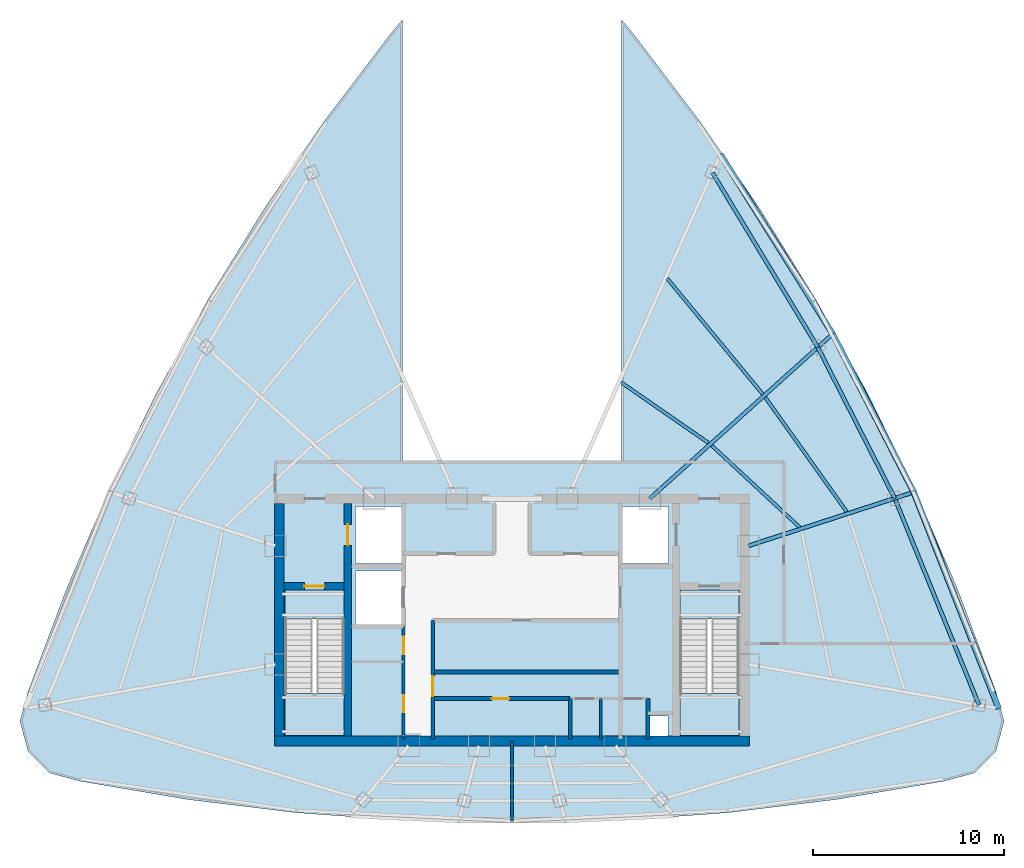
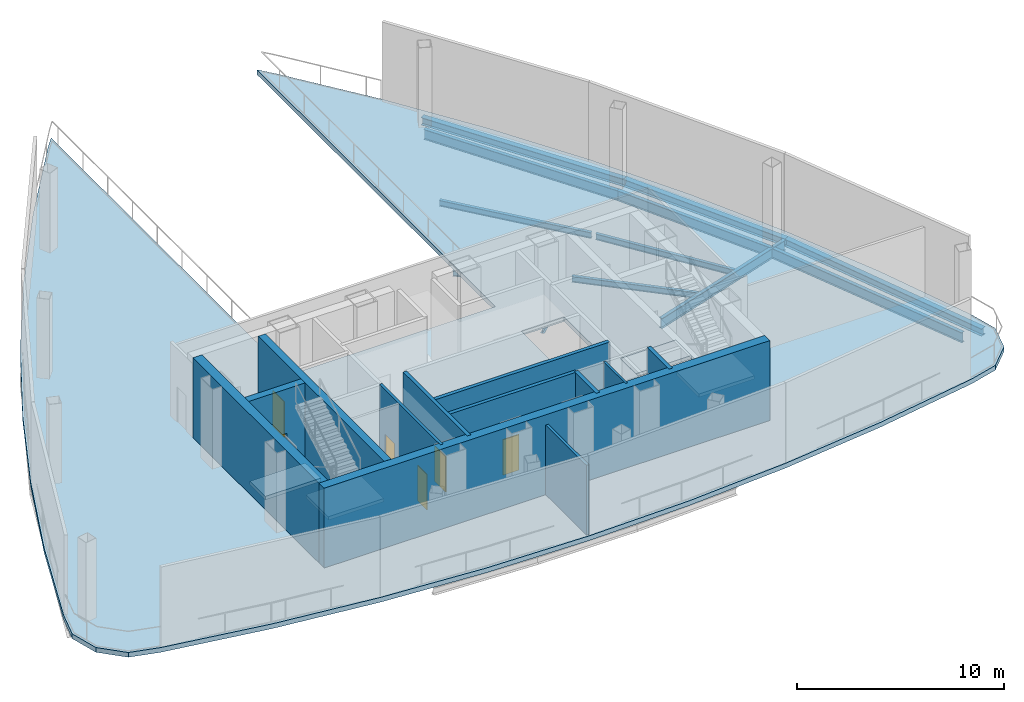
# One storey, part 2 of 6: 12 beams, 12 walls, 6 doors, 5 slabs, 6 openings, 2 elements without a shape of their own.
"""IFC4 building model written with IfcOpenShell, lengths in metres."""

from ifc_helpers import new_model, si_unit, direction, frame, frame_2d, origin, origin_with_axes, origin_2d, place, context, subcontext, project, spatial, polyline, rectangle, i_section, outline, extrude, source, transform, mapped, material, layer, layer_set, material_profile, profile_set, type_object, element, fill, aggregate, save


model = new_model("IFC4")

# Units and contexts
model_context = context("Model", 3, precision=1e-05, world=origin(), true_north=direction((0.0, 1.0)))
body_context = subcontext(model_context, "Body", "Model", "MODEL_VIEW")
ifc_project = project(units=[si_unit("LENGTHUNIT", "METRE"), si_unit("AREAUNIT", "SQUARE_METRE"), si_unit("VOLUMEUNIT", "CUBIC_METRE"), si_unit("PLANEANGLEUNIT", "RADIAN"), si_unit("MASSUNIT", "GRAM", prefix="KILO"), si_unit("THERMODYNAMICTEMPERATUREUNIT", "KELVIN"), si_unit("POWERUNIT", "WATT")], contexts=[model_context])

# Site, building, storey
site_placement = place(None, origin())
site = spatial("IfcSite", under=ifc_project, at=site_placement, CompositionType="ELEMENT")
building_placement = place(site_placement, origin())
building = spatial("IfcBuilding", under=site, at=building_placement, Name="Yunzhuo Pagoda Commons", CompositionType="ELEMENT")
storey_placement = place(building_placement, frame((0.0, 0.0, 376.760009765625)))
storey = spatial("IfcBuildingStorey", under=building, at=storey_placement, Name="L94", CompositionType="ELEMENT", Elevation=376.760009765625)

# Beams
ifc_material_1 = material(Name="Structural steel Q355B", Category="steel")
ifc_material_profile_1 = material_profile(ifc_material_1, i_section(OverallWidth=0.199951171875, OverallDepth=0.60009765625, WebThickness=0.010986328125, FlangeThickness=0.01708984375, at=origin_2d()), Name="Structural steel Q355B")
ifc_profile_set_1 = profile_set([ifc_material_profile_1], Name="Structural steel Q355B")
beam_type_1 = type_object("IfcBeamType", Name="B-RG3 Beam HN 600x200x11x17", PredefinedType="BEAM", material=ifc_profile_set_1)
shared_shape_1 = source(origin(), body_context, "Body", "SweptSolid", [
    extrude(i_section(OverallWidth=0.199951171875, OverallDepth=0.60009765625, WebThickness=0.010986328125, FlangeThickness=0.01708984375, at=origin_2d()), origin(), (0.0, 0.0, 1.0), 11.696533203125),
])
beam_1_placement = place(storey_placement, frame((72.47021484375, 29.38525390625, -0.580078125), z_axis=(-0.377611800863, 0.925963999219, 0.0), x_axis=(-0.925963999219, -0.377611800863, 0.0)))
element("IfcBeam", 1, at=beam_1_placement, inside=storey, type_object=beam_type_1, Name="L94 column-ring beam 5", PredefinedType="BEAM", context=body_context, shape_type="MappedRepresentation", body=[
    mapped(shared_shape_1, transform((0.0, 0.0, 0.0), scale=1.0)),
])
shared_shape_2 = source(origin(), body_context, "Body", "SweptSolid", [
    extrude(i_section(OverallWidth=0.199951171875, OverallDepth=0.60009765625, WebThickness=0.010986328125, FlangeThickness=0.01708984375, at=origin_2d()), origin(), (0.0, 0.0, 1.0), 8.87939453125),
])
beam_2_placement = place(storey_placement, frame((68.053466796875, 40.2158203125, -0.580078125), z_axis=(-0.453723535687, 0.891142498798, 0.0), x_axis=(-0.891142498798, -0.453723535687, 0.0)))
element("IfcBeam", 2, at=beam_2_placement, inside=storey, type_object=beam_type_1, Name="L94 column-ring beam 6", PredefinedType="BEAM", context=body_context, shape_type="MappedRepresentation", body=[
    mapped(shared_shape_2, transform((0.0, 0.0, 0.0), scale=1.0)),
])
shared_shape_3 = source(origin(), body_context, "Body", "SweptSolid", [
    extrude(i_section(OverallWidth=0.199951171875, OverallDepth=0.60009765625, WebThickness=0.010986328125, FlangeThickness=0.01708984375, at=origin_2d()), origin(), (0.0, 0.0, 1.0), 10.691162109375),
])
beam_3_placement = place(storey_placement, frame((64.024658203125, 48.128662109375, -0.580078125), z_axis=(-0.516864678433, 0.856067114301, 0.0), x_axis=(-0.856067114301, -0.516864678433, 0.0)))
element("IfcBeam", 3, at=beam_3_placement, inside=storey, type_object=beam_type_1, Name="L94 column-ring beam 7", PredefinedType="BEAM", context=body_context, shape_type="MappedRepresentation", body=[
    mapped(shared_shape_3, transform((0.0, 0.0, 0.0), scale=1.0)),
])
ifc_material_profile_2 = material_profile(ifc_material_1, i_section(OverallWidth=0.175048828125, OverallDepth=0.35009765625, WebThickness=0.007080078125, FlangeThickness=0.010986328125, at=origin_2d()), Name="Structural steel Q355B")
ifc_profile_set_2 = profile_set([ifc_material_profile_2], Name="Structural steel Q355B")
beam_type_2 = type_object("IfcBeamType", Name="B-JS2 Joist HN 350x175x7x11", PredefinedType="JOIST", material=ifc_profile_set_2)
shared_shape_4 = source(origin(), body_context, "Body", "SweptSolid", [
    extrude(i_section(OverallWidth=0.175048828125, OverallDepth=0.35009765625, WebThickness=0.007080078125, FlangeThickness=0.010986328125, at=origin_2d()), origin(), (0.0, 0.0, 1.0), 6.277099609375),
])
beam_4_placement = place(storey_placement, frame((63.071044921875, 38.702392578125, -0.455078125), z_axis=(-0.73244154109, 0.68082992655, 0.0), x_axis=(-0.68082992655, -0.73244154109, 0.0)))
element("IfcBeam", 4, at=beam_4_placement, inside=storey, type_object=beam_type_2, Name="L94 composite ring joist 1.6", PredefinedType="JOIST", context=body_context, shape_type="MappedRepresentation", body=[
    mapped(shared_shape_4, transform((0.0, 0.0, 0.0), scale=1.0)),
])
shared_shape_5 = source(origin(), body_context, "Body", "SweptSolid", [
    extrude(i_section(OverallWidth=0.175048828125, OverallDepth=0.35009765625, WebThickness=0.007080078125, FlangeThickness=0.010986328125, at=origin_2d()), origin(), (0.0, 0.0, 1.0), 7.347900390625),
])
beam_5_placement = place(storey_placement, frame((65.53759765625, 39.513671875, -0.455078125), z_axis=(-0.580294898948, 0.814406428177, 0.0), x_axis=(-0.814406428177, -0.580294898948, 0.0)))
element("IfcBeam", 5, at=beam_5_placement, inside=storey, type_object=beam_type_2, Name="L94 composite ring joist 2.6", PredefinedType="JOIST", context=body_context, shape_type="MappedRepresentation", body=[
    mapped(shared_shape_5, transform((0.0, 0.0, 0.0), scale=1.0)),
])
shared_shape_6 = source(origin(), body_context, "Body", "SweptSolid", [
    extrude(i_section(OverallWidth=0.175048828125, OverallDepth=0.35009765625, WebThickness=0.007080078125, FlangeThickness=0.010986328125, at=origin_2d()), origin(), (0.0, 0.0, 1.0), 5.556640625),
])
beam_6_placement = place(storey_placement, frame((58.29443359375, 43.119873046875, -0.455078125), z_axis=(-0.822084621883, 0.569365326011, 0.0), x_axis=(-0.569365326011, -0.822084621883, 0.0)))
element("IfcBeam", 6, at=beam_6_placement, inside=storey, type_object=beam_type_2, Name="L94 composite ring joist 1.7", PredefinedType="JOIST", context=body_context, shape_type="MappedRepresentation", body=[
    mapped(shared_shape_6, transform((0.0, 0.0, 0.0), scale=1.0)),
])
shared_shape_7 = source(origin(), body_context, "Body", "SweptSolid", [
    extrude(i_section(OverallWidth=0.175048828125, OverallDepth=0.35009765625, WebThickness=0.007080078125, FlangeThickness=0.010986328125, at=origin_2d()), origin(), (0.0, 0.0, 1.0), 7.842529296875),
])
beam_7_placement = place(storey_placement, frame((61.133544921875, 45.68017578125, -0.455078125), z_axis=(-0.636899145749, 0.770947130577, 0.0), x_axis=(-0.770947130577, -0.636899145749, 0.0)))
element("IfcBeam", 7, at=beam_7_placement, inside=storey, type_object=beam_type_2, Name="L94 composite ring joist 2.7", PredefinedType="JOIST", context=body_context, shape_type="MappedRepresentation", body=[
    mapped(shared_shape_7, transform((0.0, 0.0, 0.0), scale=1.0)),
])
shared_shape_8 = source(origin(), body_context, "Body", "SweptSolid", [
    extrude(i_section(OverallWidth=0.199951171875, OverallDepth=0.60009765625, WebThickness=0.010986328125, FlangeThickness=0.01708984375, at=origin_2d()), origin(), (0.0, 0.0, 1.0), 8.942626953125),
])
beam_8_placement = place(storey_placement, frame((68.90478515625, 40.492431640625, -0.580078125), z_axis=(-0.951055734301, -0.309019401095, 0.0), x_axis=(0.309019401095, -0.951055734301, 0.0)))
element("IfcBeam", 8, at=beam_8_placement, inside=storey, type_object=beam_type_1, Name="L94 radial floor girder F2C2", PredefinedType="BEAM", context=body_context, shape_type="MappedRepresentation", body=[
    mapped(shared_shape_8, transform((0.0, 0.0, 0.0), scale=1.0)),
])
shared_shape_9 = source(origin(), body_context, "Body", "SweptSolid", [
    extrude(i_section(OverallWidth=0.199951171875, OverallDepth=0.60009765625, WebThickness=0.010986328125, FlangeThickness=0.01708984375, at=origin_2d()), origin(), (0.0, 0.0, 1.0), 12.744140625),
])
beam_9_placement = place(storey_placement, frame((64.689697265625, 48.7275390625, -0.580078125), z_axis=(-0.743139811769, -0.669136174605, 0.0), x_axis=(0.669136174605, -0.743139811769, 0.0)))
element("IfcBeam", 9, at=beam_9_placement, inside=storey, type_object=beam_type_1, Name="L94 radial floor girder F2C3", PredefinedType="BEAM", context=body_context, shape_type="MappedRepresentation", body=[
    mapped(shared_shape_9, transform((0.0, 0.0, 0.0), scale=1.0)),
])
ifc_material_profile_3 = material_profile(ifc_material_1, i_section(OverallWidth=0.300048828125, OverallDepth=0.43994140625, WebThickness=0.010986328125, FlangeThickness=0.01806640625, at=origin_2d()), Name="Structural steel Q355B")
ifc_profile_set_3 = profile_set([ifc_material_profile_3], Name="Structural steel Q355B")
beam_type_3 = type_object("IfcBeamType", Name="B-SP2 Beam HM 440x300x11x18", PredefinedType="BEAM", material=ifc_profile_set_3)
shared_shape_10 = source(origin(), body_context, "Body", "SweptSolid", [
    extrude(i_section(OverallWidth=0.300048828125, OverallDepth=0.43994140625, WebThickness=0.010986328125, FlangeThickness=0.01806640625, at=origin_2d()), origin(), (0.0, 0.0, 1.0), 12.18017578125),
])
beam_10_placement = place(storey_placement, frame((73.504150390625, 29.202880859375, -0.5), z_axis=(-0.365522138301, 0.930802646328, 0.0), x_axis=(-0.930802646328, -0.365522138301, 0.0)))
element("IfcBeam", 10, at=beam_10_placement, inside=storey, type_object=beam_type_3, Name="L94 facade edge spandrel beam F2.1", PredefinedType="BEAM", context=body_context, shape_type="MappedRepresentation", body=[
    mapped(shared_shape_10, transform((0.0, 0.0, 0.0), scale=1.0)),
])
shared_shape_11 = source(origin(), body_context, "Body", "SweptSolid", [
    extrude(i_section(OverallWidth=0.300048828125, OverallDepth=0.43994140625, WebThickness=0.010986328125, FlangeThickness=0.01806640625, at=origin_2d()), origin(), (0.0, 0.0, 1.0), 9.3154296875),
])
beam_11_placement = place(storey_placement, frame((69.052001953125, 40.540283203125, -0.5), z_axis=(-0.455914353887, 0.89002365245, 0.0), x_axis=(-0.89002365245, -0.455914353887, 0.0)))
element("IfcBeam", 11, at=beam_11_placement, inside=storey, type_object=beam_type_3, Name="L94 facade edge spandrel beam F2.2", PredefinedType="BEAM", context=body_context, shape_type="MappedRepresentation", body=[
    mapped(shared_shape_11, transform((0.0, 0.0, 0.0), scale=1.0)),
])
shared_shape_12 = source(origin(), body_context, "Body", "SweptSolid", [
    extrude(i_section(OverallWidth=0.300048828125, OverallDepth=0.43994140625, WebThickness=0.010986328125, FlangeThickness=0.01806640625, at=origin_2d()), origin(), (0.0, 0.0, 1.0), 11.094482421875),
])
beam_12_placement = place(storey_placement, frame((64.804931640625, 48.831298828125, -0.5), z_axis=(-0.529915860294, 0.848050223164, 0.0), x_axis=(-0.848050223164, -0.529915860294, 0.0)))
element("IfcBeam", 12, at=beam_12_placement, inside=storey, type_object=beam_type_3, Name="L94 facade edge spandrel beam F2.3", PredefinedType="BEAM", context=body_context, shape_type="MappedRepresentation", body=[
    mapped(shared_shape_12, transform((0.0, 0.0, 0.0), scale=1.0)),
])

# Stair, slabs
ifc_material_2 = material(Name="Concrete C40", Category="concrete")
stair_type_1 = type_object("IfcStairType", Name="ST-C1 Core Smokeproof Stair ST1", PredefinedType="HALF_TURN_STAIR", material=ifc_material_2)
stair_1_placement = place(storey_placement, origin())
stair_1 = element("IfcStair", 13, at=stair_1_placement, inside=storey, type_object=stair_type_1, Name="L94 Core smokeproof stair ST1", PredefinedType="HALF_TURN_STAIR")
ifc_layer_1 = layer(ifc_material_2, 0.199951171875)
ifc_layer_set_1 = layer_set([ifc_layer_1], Name="Concrete C40")
slab_type_1 = type_object("IfcSlabType", Name="SL-LND1 Stair Landing Slab 200", PredefinedType="LANDING", material=ifc_layer_set_1)
slab_1_placement = place(storey_placement, frame((0.0, 0.0, 2.300048828125)))
slab_1 = element("IfcSlab", 14, at=slab_1_placement, type_object=slab_type_1, Name="ST1 landing 1", PredefinedType="LANDING", context=body_context, shape_type="SweptSolid", body=[
    extrude(outline(polyline([(36.10009765625, 29.97998046875), (36.10009765625, 27.800048828125), (39.199951171875, 27.800048828125), (39.199951171875, 29.97998046875), (36.10009765625, 29.97998046875)])), origin(), (0.0, 0.0, 1.0), 0.199951171875),
])
slab_2_placement = place(storey_placement, frame((0.0, 0.0, -0.199951171875)))
slab_2 = element("IfcSlab", 15, at=slab_2_placement, type_object=slab_type_1, Name="ST1 floor landing L94", PredefinedType="LANDING", context=body_context, shape_type="SweptSolid", body=[
    extrude(outline(polyline([(36.10009765625, 35.39990234375), (36.10009765625, 33.89990234375), (39.199951171875, 33.89990234375), (39.199951171875, 35.39990234375), (36.10009765625, 35.39990234375)])), origin(), (0.0, 0.0, 1.0), 0.199951171875),
])
aggregate(stair_1, [slab_1, slab_2])

stair_type_2 = type_object("IfcStairType", Name="ST-C2 Core Smokeproof Stair ST2", PredefinedType="HALF_TURN_STAIR", material=ifc_material_2)
stair_2_placement = place(storey_placement, origin())
stair_2 = element("IfcStair", 16, at=stair_2_placement, inside=storey, type_object=stair_type_2, Name="L94 Core smokeproof stair ST2", PredefinedType="HALF_TURN_STAIR")
ifc_layer_2 = layer(ifc_material_2, 0.201904296875)
ifc_layer_set_2 = layer_set([ifc_layer_2], Name="Concrete C40")
slab_type_2 = type_object("IfcSlabType", Name="SL-LND2 Stair Landing Slab 202", PredefinedType="LANDING", material=ifc_layer_set_2)
slab_3_placement = place(storey_placement, frame((0.0, 0.0, 2.300048828125)))
slab_3 = element("IfcSlab", 17, at=slab_3_placement, type_object=slab_type_2, Name="ST2 landing 1", PredefinedType="LANDING", context=body_context, shape_type="SweptSolid", body=[
    extrude(outline(polyline([(56.800048828125, 29.97998046875), (56.800048828125, 27.800048828125), (59.89990234375, 27.800048828125), (59.89990234375, 29.97998046875), (56.800048828125, 29.97998046875)])), origin(), (0.0, 0.0, 1.0), 0.199951171875),
])
slab_4_placement = place(storey_placement, frame((0.0, 0.0, -0.199951171875)))
slab_4 = element("IfcSlab", 18, at=slab_4_placement, type_object=slab_type_2, Name="ST2 floor landing L94", PredefinedType="LANDING", context=body_context, shape_type="SweptSolid", body=[
    extrude(outline(polyline([(56.800048828125, 35.39990234375), (56.800048828125, 33.89990234375), (59.89990234375, 33.89990234375), (59.89990234375, 35.39990234375), (56.800048828125, 35.39990234375)])), origin(), (0.0, 0.0, 1.0), 0.199951171875),
])
aggregate(stair_2, [slab_3, slab_4])

# Slab
ifc_layer_3 = layer(ifc_material_2, 0.280029296875)
ifc_layer_set_3 = layer_set([ifc_layer_3], Name="Concrete C40")
slab_type_3 = type_object("IfcSlabType", Name="SL-POD Podium & Refuge Floor Slab 280", PredefinedType="FLOOR", material=ifc_layer_set_3)
slab_5_placement = place(storey_placement, frame((0.0, 0.0, -0.280029296875)))
element("IfcSlab", 19, at=slab_5_placement, inside=storey, type_object=slab_type_3, Name="L94 wind portal wing floor slab 1", PredefinedType="FLOOR", context=body_context, shape_type="SweptSolid", body=[
    extrude(outline(polyline([(57.7939453125, 60.038818359375), (60.981689453125, 55.397705078125), (63.931396484375, 50.61767578125), (66.643310546875, 45.69873046875), (69.1171875, 40.64111328125), (71.35302734375, 35.4443359375), (73.35107421875, 30.10888671875), (73.7783203125, 28.541259765625), (73.3623046875, 26.970458984375), (72.21533203125, 25.819580078125), (70.646240234375, 25.39794921875), (64.984619140625, 24.43359375), (59.322998046875, 23.7451171875), (53.66162109375, 23.331787109375), (48.0, 23.194091796875), (42.33837890625, 23.331787109375), (36.677001953125, 23.7451171875), (31.015380859375, 24.43359375), (25.353759765625, 25.39794921875), (23.78466796875, 25.819580078125), (22.6376953125, 26.970458984375), (22.2216796875, 28.541259765625), (22.64892578125, 30.10888671875), (24.64697265625, 35.4443359375), (26.8828125, 40.64111328125), (29.356689453125, 45.69873046875), (32.068603515625, 50.61767578125), (35.018310546875, 55.397705078125), (38.2060546875, 60.038818359375), (41.631591796875, 64.541015625), (42.25, 65.27734375), (42.25, 42.199951171875), (53.75, 42.199951171875), (53.75, 65.27734375), (54.368408203125, 64.541015625), (57.7939453125, 60.038818359375)]), holes=[polyline([(55.179931640625, 28.800048828125), (55.179931640625, 27.699951171875), (56.179931640625, 27.699951171875), (56.179931640625, 28.800048828125), (55.179931640625, 28.800048828125)]), polyline([(39.199951171875, 27.800048828125), (39.199951171875, 35.39990234375), (36.10009765625, 35.39990234375), (36.10009765625, 27.800048828125), (39.199951171875, 27.800048828125)]), polyline([(59.89990234375, 27.800048828125), (59.89990234375, 35.39990234375), (56.800048828125, 35.39990234375), (56.800048828125, 27.800048828125), (59.89990234375, 27.800048828125)]), polyline([(39.800048828125, 36.39990234375), (39.800048828125, 33.60009765625), (42.199951171875, 33.60009765625), (42.199951171875, 36.39990234375), (39.800048828125, 36.39990234375)]), polyline([(42.199951171875, 39.800048828125), (39.800048828125, 39.800048828125), (39.800048828125, 36.800048828125), (42.199951171875, 36.800048828125), (42.199951171875, 39.800048828125)]), polyline([(56.199951171875, 39.800048828125), (53.800048828125, 39.800048828125), (53.800048828125, 36.800048828125), (56.199951171875, 36.800048828125), (56.199951171875, 39.800048828125)])]), origin(), (0.0, 0.0, 1.0), 0.280029296875),
])

# Walls
ifc_material_3 = material(Name="Concrete C50", Category="concrete")
ifc_layer_4 = layer(ifc_material_3, 0.5)
ifc_layer_set_4 = layer_set([ifc_layer_4], Name="Concrete C50")
wall_type_1 = type_object("IfcWallType", Name="W-C03 Upper Core Shear Wall 500", PredefinedType="SHEAR", material=ifc_layer_set_4)
wall_1_placement = place(storey_placement, frame((35.550048828125, 27.5, 0.0), z_axis=(0.0, 0.0, 1.0), x_axis=(1.0, 0.0, 0.0)))
element("IfcWall", 20, at=wall_1_placement, inside=storey, type_object=wall_type_1, Name="L94 core shear wall S", PredefinedType="SHEAR", context=body_context, shape_type="SweptSolid", body=[
    extrude(rectangle(XDim=24.89990234375, YDim=0.5, at=frame_2d((12.449951171875, 0.0))), origin(), (0.0, 0.0, 1.0), 4.719970703125),
])
wall_2_placement = place(storey_placement, frame((35.800048828125, 27.75, 0.0), z_axis=(0.0, 0.0, 1.0), x_axis=(0.0, 1.0, 0.0)))
element("IfcWall", 21, at=wall_2_placement, inside=storey, type_object=wall_type_1, Name="L94 core shear wall W", PredefinedType="SHEAR", context=body_context, shape_type="SweptSolid", body=[
    extrude(rectangle(XDim=12.199951171875, YDim=0.5, at=frame_2d((6.10009765625, 0.0))), origin(), (0.0, 0.0, 1.0), 4.719970703125),
])

# Wall, openings, doors
ifc_material_4 = material(Name="Gypsum plasterboard on acoustic stud")
ifc_layer_5 = layer(ifc_material_4, 0.14990234375)
ifc_layer_set_5 = layer_set([ifc_layer_5], Name="Gypsum plasterboard on acoustic stud")
wall_type_2 = type_object("IfcWallType", Name="W-COR3 High-Zone Rated Corridor Wall 150", PredefinedType="PARTITIONING", material=ifc_layer_set_5)
wall_3_placement = place(storey_placement, frame((42.320068359375, 27.60009765625, 0.0), z_axis=(0.0, 0.0, 1.0), x_axis=(0.0, 1.0, 0.0)))
wall_3 = element("IfcWall", 22, at=wall_3_placement, inside=storey, type_object=wall_type_2, Name="L94 interior wall IW-L94-CSWE", PredefinedType="PARTITIONING", context=body_context, shape_type="SweptSolid", body=[
    extrude(rectangle(XDim=5.89990234375, YDim=0.14990234375, at=frame_2d((2.949951171875, 0.0))), origin(), (0.0, 0.0, 1.0), 4.719970703125),
])
opening_1_placement = place(wall_3_placement, frame((1.39990234375, 0.0, 0.0)))
opening_1 = element("IfcOpeningElement", 23, at=opening_1_placement, cuts=wall_3, Name="Opening D-03", PredefinedType="OPENING", context=body_context, shape_type="SweptSolid", body=[
    extrude(rectangle(XDim=0.89990234375, YDim=2.10009765625, at=frame_2d((0.449951171875, 1.050048828125))), frame((0.0, 0.0849609375, 0.0), z_axis=(0.0, -1.0, 0.0), x_axis=(1.0, 0.0, 0.0)), (0.0, 0.0, 1.0), 0.169921875),
])
opening_2_placement = place(wall_3_placement, frame((4.449951171875, 0.0, 0.0)))
opening_2 = element("IfcOpeningElement", 24, at=opening_2_placement, cuts=wall_3, Name="Opening D-03", PredefinedType="OPENING", context=body_context, shape_type="SweptSolid", body=[
    extrude(rectangle(XDim=0.89990234375, YDim=2.10009765625, at=frame_2d((0.449951171875, 1.050048828125))), frame((0.0, 0.0849609375, 0.0), z_axis=(0.0, -1.0, 0.0), x_axis=(1.0, 0.0, 0.0)), (0.0, 0.0, 1.0), 0.169921875),
])
ifc_material_5 = material(Name="Galvanized fire-resisting metal leaf")
door_type_1 = type_object("IfcDoorType", Name="D-03 Core Service Fire Door 900x2100", OperationType="NOTDEFINED", PredefinedType="DOOR", material=ifc_material_5)
shared_shape_13 = source(origin(), body_context, "Body", "SweptSolid", [
    extrude(rectangle(XDim=0.89990234375, YDim=2.10009765625, at=frame_2d((0.449951171875, 1.050048828125))), frame((0.0, 0.02490234375, 0.0), z_axis=(0.0, -1.0, 0.0), x_axis=(1.0, 0.0, 0.0)), (0.0, 0.0, 1.0), 0.050048828125),
])
door_1_placement = place(opening_1_placement, origin_with_axes())
door_1 = element("IfcDoor", 25, at=door_1_placement, inside=storey, type_object=door_type_1, Name="L94 service store door", OperationType="SINGLE_SWING_LEFT", OverallHeight=2.10009765625, OverallWidth=0.89990234375, PredefinedType="DOOR", context=body_context, shape_type="MappedRepresentation", body=[
    mapped(shared_shape_13, transform((0.0, 0.0, 0.0), scale=1.0)),
])
fill(opening_1, door_1)
door_2_placement = place(opening_2_placement, origin_with_axes())
door_2 = element("IfcDoor", 26, at=door_2_placement, inside=storey, type_object=door_type_1, Name="L94 switch closet door", OperationType="SINGLE_SWING_RIGHT", OverallHeight=2.10009765625, OverallWidth=0.89990234375, PredefinedType="DOOR", context=body_context, shape_type="MappedRepresentation", body=[
    mapped(shared_shape_13, transform((0.0, 0.0, 0.0), scale=1.0)),
])
fill(opening_2, door_2)

# Walls
wall_4_placement = place(storey_placement, frame((48.0, 23.314208984375, 0.0), z_axis=(0.0, 0.0, 1.0), x_axis=(0.0, 1.0, 0.0)))
element("IfcWall", 27, at=wall_4_placement, inside=storey, type_object=wall_type_2, Name="L94 interior wall IW-L94-WPSDIV", PredefinedType="PARTITIONING", context=body_context, shape_type="SweptSolid", body=[
    extrude(rectangle(XDim=4.185791015625, YDim=0.14990234375, at=frame_2d((2.0927734375, 0.0))), origin(), (0.0, 0.0, 1.0), 4.119873046875),
])
ifc_layer_6 = layer(ifc_material_4, 0.1201171875)
ifc_layer_set_6 = layer_set([ifc_layer_6], Name="Gypsum plasterboard on acoustic stud")
wall_type_3 = type_object("IfcWallType", Name="W-PRT1 Suite & Bathroom Partition 120", PredefinedType="PARTITIONING", material=ifc_layer_set_6)
wall_5_placement = place(storey_placement, frame((52.64990234375, 27.60009765625, 0.0), z_axis=(0.0, 0.0, 1.0), x_axis=(0.0, 1.0, 0.0)))
element("IfcWall", 28, at=wall_5_placement, inside=storey, type_object=wall_type_3, Name="L94 interior wall IW-L94-CD2", PredefinedType="PARTITIONING", context=body_context, shape_type="SweptSolid", body=[
    extrude(rectangle(XDim=2.119873046875, YDim=0.1201171875, at=frame_2d((1.06005859375, 0.0))), origin(), (0.0, 0.0, 1.0), 4.719970703125),
])

# Wall, opening, door
ifc_material_6 = material(Name="Concrete C60", Category="concrete")
ifc_layer_7 = layer(ifc_material_6, 0.39990234375)
ifc_layer_set_7 = layer_set([ifc_layer_7], Name="Concrete C60")
wall_type_4 = type_object("IfcWallType", Name="W-S01 Internal Core Shear Web 400", PredefinedType="SHEAR", material=ifc_layer_set_7)
wall_6_placement = place(storey_placement, frame((39.39990234375, 27.75, 0.0), z_axis=(0.0, 0.0, 1.0), x_axis=(0.0, 1.0, 0.0)))
wall_6 = element("IfcWall", 29, at=wall_6_placement, inside=storey, type_object=wall_type_4, Name="L94 core shear wall WEBW", PredefinedType="SHEAR", context=body_context, shape_type="SweptSolid", body=[
    extrude(rectangle(XDim=12.199951171875, YDim=0.39990234375, at=frame_2d((6.10009765625, 0.0))), origin(), (0.0, 0.0, 1.0), 4.719970703125),
])
opening_3_placement = place(wall_6_placement, frame((10.0, 0.0, 0.0)))
opening_3 = element("IfcOpeningElement", 30, at=opening_3_placement, cuts=wall_6, Name="Opening LD-01", PredefinedType="OPENING", context=body_context, shape_type="SweptSolid", body=[
    extrude(rectangle(XDim=1.10009765625, YDim=2.10009765625, at=frame_2d((0.550048828125, 1.050048828125))), frame((0.0, 0.2099609375, 0.0), z_axis=(0.0, -1.0, 0.0), x_axis=(1.0, 0.0, 0.0)), (0.0, 0.0, 1.0), 0.419921875),
])
door_type_2 = type_object("IfcDoorType", Name="LD-01 Firefighting Lift Landing Door 1100x2100", OperationType="DOUBLE_DOOR_SLIDING", PredefinedType="DOOR", material=ifc_material_5)
shared_shape_14 = source(origin(), body_context, "Body", "SweptSolid", [
    extrude(rectangle(XDim=1.10009765625, YDim=2.10009765625, at=frame_2d((0.550048828125, 1.050048828125))), frame((0.0, 0.02490234375, 0.0), z_axis=(0.0, -1.0, 0.0), x_axis=(1.0, 0.0, 0.0)), (0.0, 0.0, 1.0), 0.050048828125),
])
door_3_placement = place(opening_3_placement, frame((1.10009765625, 0.0, 0.0), z_axis=(0.0, 0.0, 1.0), x_axis=(-1.0, 0.0, 0.0)))
door_3 = element("IfcDoor", 31, at=door_3_placement, inside=storey, type_object=door_type_2, Name="L94 Firefighting lift FL-1 landing door", OperationType="DOUBLE_DOOR_SLIDING", OverallHeight=2.10009765625, OverallWidth=1.10009765625, PredefinedType="DOOR", context=body_context, shape_type="MappedRepresentation", body=[
    mapped(shared_shape_14, transform((0.0, 0.0, 0.0), scale=1.0)),
])
fill(opening_3, door_3)

wall_7_placement = place(storey_placement, frame((36.050048828125, 35.60009765625, 0.0), z_axis=(0.0, 0.0, 1.0), x_axis=(1.0, 0.0, 0.0)))
wall_7 = element("IfcWall", 32, at=wall_7_placement, inside=storey, type_object=wall_type_4, Name="L94 core shear wall STW", PredefinedType="SHEAR", context=body_context, shape_type="SweptSolid", body=[
    extrude(rectangle(XDim=3.14990234375, YDim=0.39990234375, at=frame_2d((1.574951171875, 0.0))), origin(), (0.0, 0.0, 1.0), 4.719970703125),
])
opening_4_placement = place(wall_7_placement, frame((1.070068359375, 0.0, 0.0)))
opening_4 = element("IfcOpeningElement", 33, at=opening_4_placement, cuts=wall_7, Name="Opening D-01", PredefinedType="OPENING", context=body_context, shape_type="SweptSolid", body=[
    extrude(rectangle(XDim=1.050048828125, YDim=2.10009765625, at=frame_2d((0.52490234375, 1.050048828125))), frame((0.0, 0.2099609375, 0.0), z_axis=(0.0, -1.0, 0.0), x_axis=(1.0, 0.0, 0.0)), (0.0, 0.0, 1.0), 0.419921875),
])
door_type_3 = type_object("IfcDoorType", Name="D-01 Smokeproof Stair Fire Door 1050x2100", OperationType="NOTDEFINED", PredefinedType="DOOR", material=ifc_material_5)
shared_shape_15 = source(origin(), body_context, "Body", "SweptSolid", [
    extrude(rectangle(XDim=1.050048828125, YDim=2.10009765625, at=frame_2d((0.52490234375, 1.050048828125))), frame((0.0, 0.02490234375, 0.0), z_axis=(0.0, -1.0, 0.0), x_axis=(1.0, 0.0, 0.0)), (0.0, 0.0, 1.0), 0.050048828125),
])
door_4_placement = place(opening_4_placement, frame((1.050048828125, 0.0, 0.0), z_axis=(0.0, 0.0, 1.0), x_axis=(-1.0, 0.0, 0.0)))
door_4 = element("IfcDoor", 34, at=door_4_placement, inside=storey, type_object=door_type_3, Name="L94 Stair ST1 fire door", OperationType="SINGLE_SWING_LEFT", OverallHeight=2.10009765625, OverallWidth=1.050048828125, PredefinedType="DOOR", context=body_context, shape_type="MappedRepresentation", body=[
    mapped(shared_shape_15, transform((0.0, 0.0, 0.0), scale=1.0)),
])
fill(opening_4, door_4)

ifc_layer_8 = layer(ifc_material_2, 0.199951171875)
ifc_layer_set_8 = layer_set([ifc_layer_8], Name="Concrete C40")
wall_type_5 = type_object("IfcWallType", Name="W-SHF Shaft & Stair Enclosure Wall 200", PredefinedType="SOLIDWALL", material=ifc_layer_set_8)
wall_8_placement = place(storey_placement, frame((43.85009765625, 27.60009765625, 0.0), z_axis=(0.0, 0.0, 1.0), x_axis=(0.0, 1.0, 0.0)))
wall_8 = element("IfcWall", 35, at=wall_8_placement, inside=storey, type_object=wall_type_5, Name="L94 interior wall IW-L94-PLMW", PredefinedType="SOLIDWALL", context=body_context, shape_type="SweptSolid", body=[
    extrude(rectangle(XDim=6.219970703125, YDim=0.199951171875, at=frame_2d((3.10986328125, 0.0))), origin(), (0.0, 0.0, 1.0), 4.719970703125),
])
opening_5_placement = place(wall_8_placement, frame((2.25, 0.0, 0.0)))
opening_5 = element("IfcOpeningElement", 36, at=opening_5_placement, cuts=wall_8, Name="Opening D-02", PredefinedType="OPENING", context=body_context, shape_type="SweptSolid", body=[
    extrude(rectangle(XDim=1.050048828125, YDim=2.10009765625, at=frame_2d((0.52490234375, 1.050048828125))), frame((0.0, 0.10986328125, 0.0), z_axis=(0.0, -1.0, 0.0), x_axis=(1.0, 0.0, 0.0)), (0.0, 0.0, 1.0), 0.219970703125),
])
door_type_4 = type_object("IfcDoorType", Name="D-02 Firefighting Lobby & Refuge Fire Door 1050x2100", OperationType="NOTDEFINED", PredefinedType="DOOR", material=ifc_material_5)
door_5_placement = place(opening_5_placement, frame((1.050048828125, 0.0, 0.0), z_axis=(0.0, 0.0, 1.0), x_axis=(-1.0, 0.0, 0.0)))
door_5 = element("IfcDoor", 37, at=door_5_placement, inside=storey, type_object=door_type_4, Name="L94 High-bank hall west door", OperationType="SINGLE_SWING_LEFT", OverallHeight=2.10009765625, OverallWidth=1.050048828125, PredefinedType="DOOR", context=body_context, shape_type="MappedRepresentation", body=[
    mapped(shared_shape_15, transform((0.0, 0.0, 0.0), scale=1.0)),
])
fill(opening_5, door_5)

wall_9_placement = place(storey_placement, frame((43.85009765625, 29.719970703125, 0.0), z_axis=(0.0, 0.0, 1.0), x_axis=(1.0, 0.0, 0.0)))
wall_9 = element("IfcWall", 38, at=wall_9_placement, inside=storey, type_object=wall_type_5, Name="L94 interior wall IW-L94-PLHN", PredefinedType="SOLIDWALL", context=body_context, shape_type="SweptSolid", body=[
    extrude(rectangle(XDim=7.199951171875, YDim=0.199951171875, at=frame_2d((3.60009765625, 0.0))), origin(), (0.0, 0.0, 1.0), 4.719970703125),
])
opening_6_placement = place(wall_9_placement, frame((3.10009765625, 0.0, 0.0)))
opening_6 = element("IfcOpeningElement", 39, at=opening_6_placement, cuts=wall_9, Name="Opening D-03", PredefinedType="OPENING", context=body_context, shape_type="SweptSolid", body=[
    extrude(rectangle(XDim=0.89990234375, YDim=2.10009765625, at=frame_2d((0.449951171875, 1.050048828125))), frame((0.0, 0.10986328125, 0.0), z_axis=(0.0, -1.0, 0.0), x_axis=(1.0, 0.0, 0.0)), (0.0, 0.0, 1.0), 0.219970703125),
])
door_6_placement = place(opening_6_placement, origin_with_axes())
door_6 = element("IfcDoor", 40, at=door_6_placement, inside=storey, type_object=door_type_1, Name="L94 plumbing store door", OperationType="SINGLE_SWING_LEFT", OverallHeight=2.10009765625, OverallWidth=0.89990234375, PredefinedType="DOOR", context=body_context, shape_type="MappedRepresentation", body=[
    mapped(shared_shape_13, transform((0.0, 0.0, 0.0), scale=1.0)),
])
fill(opening_6, door_6)

# Walls
wall_10_placement = place(storey_placement, frame((51.050048828125, 27.60009765625, 0.0), z_axis=(0.0, 0.0, 1.0), x_axis=(0.0, 1.0, 0.0)))
element("IfcWall", 41, at=wall_10_placement, inside=storey, type_object=wall_type_5, Name="L94 interior wall IW-L94-PLHE", PredefinedType="SOLIDWALL", context=body_context, shape_type="SweptSolid", body=[
    extrude(rectangle(XDim=2.119873046875, YDim=0.199951171875, at=frame_2d((1.06005859375, 0.0))), origin(), (0.0, 0.0, 1.0), 4.719970703125),
])
wall_11_placement = place(storey_placement, frame((43.85009765625, 31.1201171875, 0.0), z_axis=(0.0, 0.0, 1.0), x_axis=(1.0, 0.0, 0.0)))
element("IfcWall", 42, at=wall_11_placement, inside=storey, type_object=wall_type_5, Name="L94 interior wall IW-L94-PLMS2", PredefinedType="SOLIDWALL", context=body_context, shape_type="SweptSolid", body=[
    extrude(rectangle(XDim=9.829833984375, YDim=0.199951171875, at=frame_2d((4.9150390625, 0.0))), origin(), (0.0, 0.0, 1.0), 4.719970703125),
])
wall_12_placement = place(storey_placement, frame((55.1201171875, 27.60009765625, 0.0), z_axis=(0.0, 0.0, 1.0), x_axis=(0.0, 1.0, 0.0)))
element("IfcWall", 43, at=wall_12_placement, inside=storey, type_object=wall_type_5, Name="L94 interior wall IW-L94-RSHFW", PredefinedType="SOLIDWALL", context=body_context, shape_type="SweptSolid", body=[
    extrude(rectangle(XDim=2.119873046875, YDim=0.199951171875, at=frame_2d((1.06005859375, 0.0))), origin(), (0.0, 0.0, 1.0), 4.719970703125),
])

save(model, "model.ifc")
